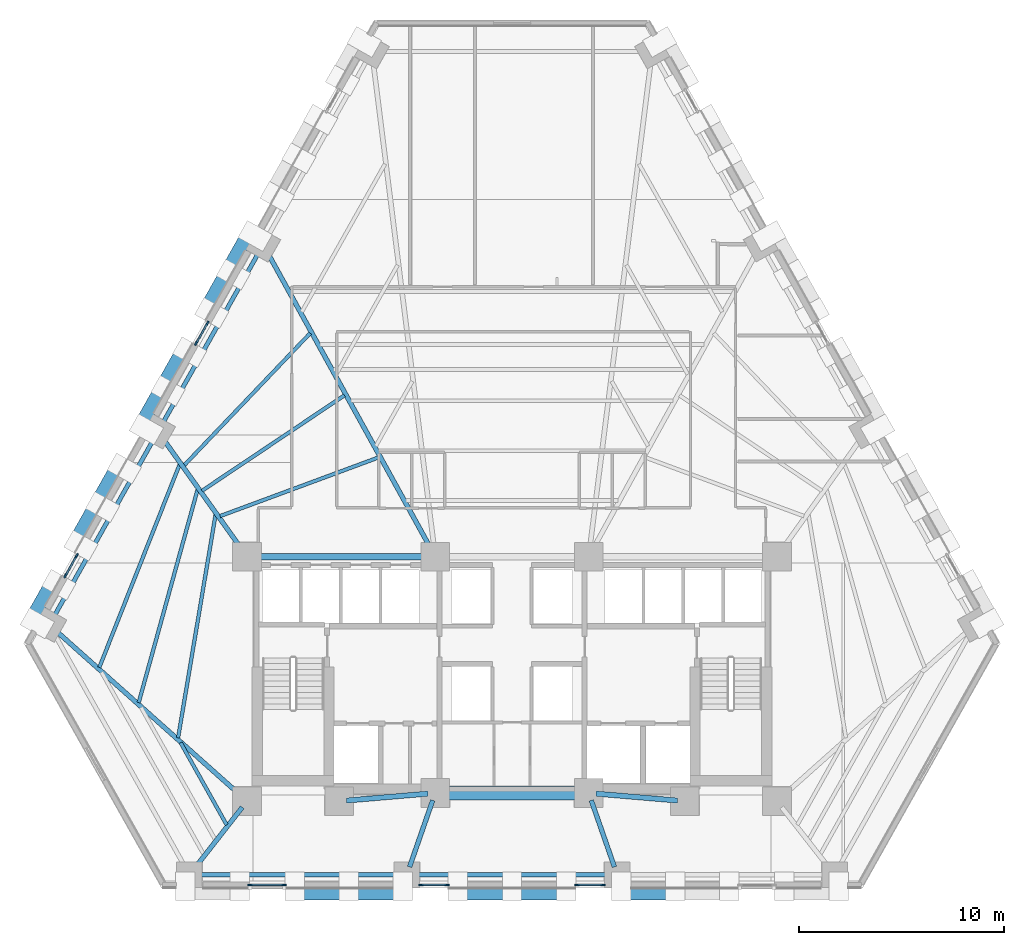
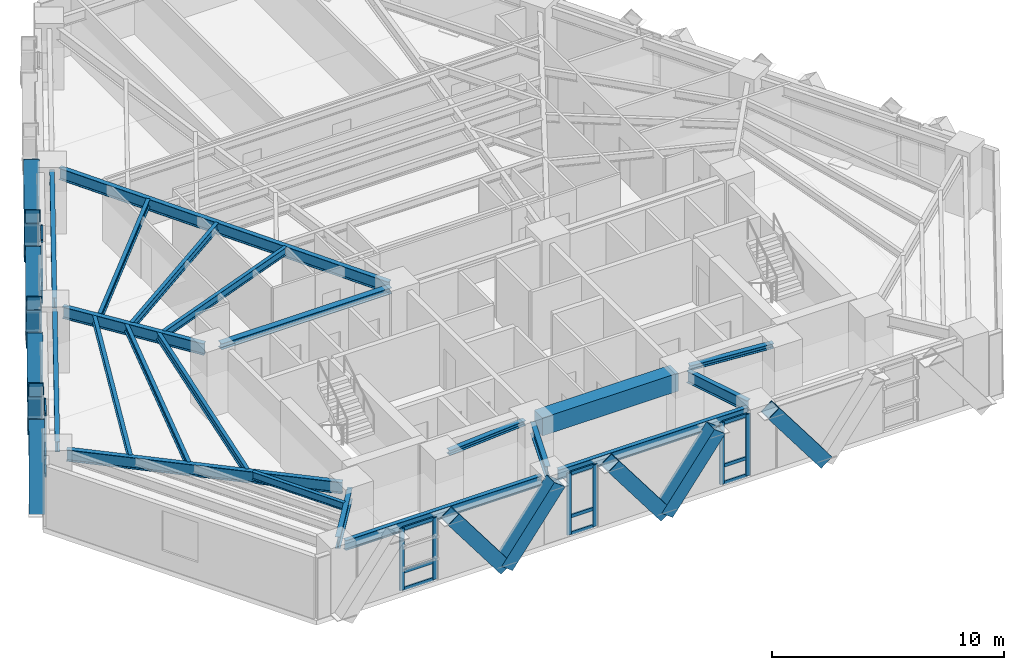
# One storey, part 2 of 13: 37 members, 21 beams, 5 elements without a shape of their own.
"""IFC4 building model written with IfcOpenShell, lengths in metres."""

from ifc_helpers import new_model, si_unit, direction, frame, origin, origin_2d, place, context, subcontext, project, spatial, rectangle, hollow_rectangle, i_section, extrude, material, material_profile, profile_set, type_object, element, aggregate, save


model = new_model("IFC4")

# Units and contexts
model_context = context("Model", 3, precision=1e-05, world=origin(), true_north=direction((0.0, 1.0)))
body_context = subcontext(model_context, "Body", "Model", "MODEL_VIEW")
ifc_project = project(units=[si_unit("LENGTHUNIT", "METRE"), si_unit("AREAUNIT", "SQUARE_METRE"), si_unit("VOLUMEUNIT", "CUBIC_METRE"), si_unit("PLANEANGLEUNIT", "RADIAN"), si_unit("MASSUNIT", "GRAM", prefix="KILO")], contexts=[model_context])

# Site, building, storey
site_placement = place(None, origin())
site = spatial("IfcSite", under=ifc_project, at=site_placement, CompositionType="ELEMENT")
building_placement = place(site_placement, origin())
building = spatial("IfcBuilding", under=site, at=building_placement, Name="Quenlor Broadcast Tower", CompositionType="ELEMENT")
storey_placement = place(building_placement, frame((0.0, 0.0, 38.10009765625)))
storey = spatial("IfcBuildingStorey", under=building, at=storey_placement, Name="L09", CompositionType="ELEMENT", Elevation=38.10009765625)

# Curtain wall, members
ifc_material_1 = material(Name="Architectural Terracotta and Low-E Glazing", Category="masonry")
curtain_wall_type = type_object("IfcCurtainWallType", Name="Unitised Terracotta Curtain Wall System Z1", PredefinedType="NOTDEFINED", material=ifc_material_1)
curtain_wall_1_placement = place(storey_placement, origin())
curtain_wall_1 = element("IfcCurtainWall", 1, at=curtain_wall_1_placement, inside=storey, type_object=curtain_wall_type, Name="L09 Curtain Wall CW1 (L09-SC-G1)", PredefinedType="NOTDEFINED")
ifc_material_2 = material(Name="Aluminium 6063-T6", Category="aluminium")
ifc_material_profile_1 = material_profile(ifc_material_2, rectangle(XDim=0.080078125, YDim=0.219970703125, at=origin_2d()))
ifc_profile_set_1 = profile_set([ifc_material_profile_1], Name="Aluminium 6063-T6 MULL80x220")
member_type_1 = type_object("IfcMemberType", Name="CW1 Aluminium Mullion MULL_CW1", PredefinedType="MULLION", material=ifc_profile_set_1)
member_1_placement = place(storey_placement, frame((-11.146484375, -20.840087890625, 0.0), z_axis=(0.0, 0.0, 1.0), x_axis=(0.0, -1.0, 0.0)))
member_1 = element("IfcMember", 2, at=member_1_placement, type_object=member_type_1, Name="CW1 mullion 1", PredefinedType="MULLION", context=body_context, shape_type="SweptSolid", body=[
    extrude(rectangle(XDim=0.080078125, YDim=0.219970703125, at=origin_2d()), origin(), (0.0, 0.0, 1.0), 3.25),
])
member_2_placement = place(storey_placement, frame((-12.794921875, -20.840087890625, 0.0), z_axis=(0.0, 0.0, 1.0), x_axis=(0.0, -1.0, 0.0)))
member_2 = element("IfcMember", 3, at=member_2_placement, type_object=member_type_1, Name="CW1 mullion 2", PredefinedType="MULLION", context=body_context, shape_type="SweptSolid", body=[
    extrude(rectangle(XDim=0.080078125, YDim=0.219970703125, at=origin_2d()), origin(), (0.0, 0.0, 1.0), 3.25),
])

curtain_wall_2_placement = place(storey_placement, origin())
curtain_wall_2 = element("IfcCurtainWall", 4, at=curtain_wall_2_placement, inside=storey, type_object=curtain_wall_type, Name="L09 Curtain Wall CW1 (L09-S-G1)", PredefinedType="NOTDEFINED")
member_3_placement = place(storey_placement, frame((4.455810546875, -20.840087890625, 0.0), z_axis=(0.0, 0.0, 1.0), x_axis=(0.0, -1.0, 0.0)))
member_3 = element("IfcMember", 5, at=member_3_placement, type_object=member_type_1, Name="CW1 mullion 1", PredefinedType="MULLION", context=body_context, shape_type="SweptSolid", body=[
    extrude(rectangle(XDim=0.080078125, YDim=0.219970703125, at=origin_2d()), origin(), (0.0, 0.0, 1.0), 3.25),
])
member_4_placement = place(storey_placement, frame((3.166015625, -20.840087890625, 0.0), z_axis=(0.0, 0.0, 1.0), x_axis=(0.0, -1.0, 0.0)))
member_4 = element("IfcMember", 6, at=member_4_placement, type_object=member_type_1, Name="CW1 mullion 2", PredefinedType="MULLION", context=body_context, shape_type="SweptSolid", body=[
    extrude(rectangle(XDim=0.080078125, YDim=0.219970703125, at=origin_2d()), origin(), (0.0, 0.0, 1.0), 3.25),
])

curtain_wall_3_placement = place(storey_placement, origin())
curtain_wall_3 = element("IfcCurtainWall", 7, at=curtain_wall_3_placement, inside=storey, type_object=curtain_wall_type, Name="L09 Curtain Wall CW1 (L09-S-G2)", PredefinedType="NOTDEFINED")
member_5_placement = place(storey_placement, frame((-3.166015625, -20.840087890625, 0.0), z_axis=(0.0, 0.0, 1.0), x_axis=(0.0, -1.0, 0.0)))
member_5 = element("IfcMember", 8, at=member_5_placement, type_object=member_type_1, Name="CW1 mullion 1", PredefinedType="MULLION", context=body_context, shape_type="SweptSolid", body=[
    extrude(rectangle(XDim=0.080078125, YDim=0.219970703125, at=origin_2d()), origin(), (0.0, 0.0, 1.0), 3.25),
])
member_6_placement = place(storey_placement, frame((-4.455810546875, -20.840087890625, 0.0), z_axis=(0.0, 0.0, 1.0), x_axis=(0.0, -1.0, 0.0)))
member_6 = element("IfcMember", 9, at=member_6_placement, type_object=member_type_1, Name="CW1 mullion 2", PredefinedType="MULLION", context=body_context, shape_type="SweptSolid", body=[
    extrude(rectangle(XDim=0.080078125, YDim=0.219970703125, at=origin_2d()), origin(), (0.0, 0.0, 1.0), 3.25),
])

curtain_wall_4_placement = place(storey_placement, origin())
curtain_wall_4 = element("IfcCurtainWall", 10, at=curtain_wall_4_placement, inside=storey, type_object=curtain_wall_type, Name="L09 Curtain Wall CW1 (L09-NWA-G1)", PredefinedType="NOTDEFINED")
member_7_placement = place(storey_placement, frame((-21.830810546875, -5.73681640625, 0.0), z_axis=(0.0, 0.0, 1.0), x_axis=(-0.871566703483, 0.490276943553, 0.0)))
member_7 = element("IfcMember", 11, at=member_7_placement, type_object=member_type_1, Name="CW1 mullion 1", PredefinedType="MULLION", context=body_context, shape_type="SweptSolid", body=[
    extrude(rectangle(XDim=0.080078125, YDim=0.219970703125, at=origin_2d()), origin(), (0.0, 0.0, 1.0), 3.25),
])
member_8_placement = place(storey_placement, frame((-21.277099609375, -4.75244140625, 0.0), z_axis=(0.0, 0.0, 1.0), x_axis=(-0.871566703483, 0.490276943553, 0.0)))
member_8 = element("IfcMember", 12, at=member_8_placement, type_object=member_type_1, Name="CW1 mullion 2", PredefinedType="MULLION", context=body_context, shape_type="SweptSolid", body=[
    extrude(rectangle(XDim=0.080078125, YDim=0.219970703125, at=origin_2d()), origin(), (0.0, 0.0, 1.0), 3.25),
])

curtain_wall_5_placement = place(storey_placement, origin())
curtain_wall_5 = element("IfcCurtainWall", 13, at=curtain_wall_5_placement, inside=storey, type_object=curtain_wall_type, Name="L09 Curtain Wall CW1 (L09-NW-G1)", PredefinedType="NOTDEFINED")
member_9_placement = place(storey_placement, frame((-15.4375, 5.62939453125, 0.0), z_axis=(0.0, 0.0, 1.0), x_axis=(-0.871566703483, 0.490276943553, 0.0)))
member_9 = element("IfcMember", 14, at=member_9_placement, type_object=member_type_1, Name="CW1 mullion 1", PredefinedType="MULLION", context=body_context, shape_type="SweptSolid", body=[
    extrude(rectangle(XDim=0.080078125, YDim=0.219970703125, at=origin_2d()), origin(), (0.0, 0.0, 1.0), 3.25),
])
member_10_placement = place(storey_placement, frame((-14.8837890625, 6.61376953125, 0.0), z_axis=(0.0, 0.0, 1.0), x_axis=(-0.871566703483, 0.490276943553, 0.0)))
member_10 = element("IfcMember", 15, at=member_10_placement, type_object=member_type_1, Name="CW1 mullion 2", PredefinedType="MULLION", context=body_context, shape_type="SweptSolid", body=[
    extrude(rectangle(XDim=0.080078125, YDim=0.219970703125, at=origin_2d()), origin(), (0.0, 0.0, 1.0), 3.25),
])

# Member
ifc_material_3 = material(Name="Aluminium 6063-T6", Category="aluminium")
ifc_material_profile_2 = material_profile(ifc_material_3, rectangle(XDim=0.080078125, YDim=0.179931640625, at=origin_2d()))
ifc_profile_set_2 = profile_set([ifc_material_profile_2], Name="Aluminium 6063-T6 TRAN80x180")
member_type_2 = type_object("IfcMemberType", Name="CW1 Aluminium Transom TRAN_CW1", PredefinedType="USERDEFINED", material=ifc_profile_set_2)
member_11_placement = place(storey_placement, frame((-11.1865234375, -20.840087890625, 0.039794921875), z_axis=(-1.0, 0.0, 0.0), x_axis=(0.0, -1.0, 0.0)))
member_11 = element("IfcMember", 16, at=member_11_placement, type_object=member_type_2, Name="CW1 transom 1.1", ObjectType="TRANSOM", PredefinedType="USERDEFINED", context=body_context, shape_type="SweptSolid", body=[
    extrude(rectangle(XDim=0.080078125, YDim=0.179931640625, at=origin_2d()), origin(), (0.0, 0.0, 1.0), 1.568359375),
])

member_12_placement = place(storey_placement, frame((-11.1865234375, -20.840087890625, 0.949951171875), z_axis=(-1.0, 0.0, 0.0), x_axis=(0.0, -1.0, 0.0)))
member_12 = element("IfcMember", 17, at=member_12_placement, type_object=member_type_2, Name="CW1 transom 1.2", ObjectType="TRANSOM", PredefinedType="USERDEFINED", context=body_context, shape_type="SweptSolid", body=[
    extrude(rectangle(XDim=0.080078125, YDim=0.179931640625, at=origin_2d()), origin(), (0.0, 0.0, 1.0), 1.568359375),
])

member_13_placement = place(storey_placement, frame((-11.1865234375, -20.840087890625, 3.2099609375), z_axis=(-1.0, 0.0, 0.0), x_axis=(0.0, -1.0, 0.0)))
member_13 = element("IfcMember", 18, at=member_13_placement, type_object=member_type_2, Name="CW1 transom 1.3", ObjectType="TRANSOM", PredefinedType="USERDEFINED", context=body_context, shape_type="SweptSolid", body=[
    extrude(rectangle(XDim=0.080078125, YDim=0.179931640625, at=origin_2d()), origin(), (0.0, 0.0, 1.0), 1.568359375),
])

aggregate(curtain_wall_1, [member_1, member_2, member_11, member_12, member_13])

member_14_placement = place(storey_placement, frame((4.415771484375, -20.840087890625, 0.039794921875), z_axis=(-1.0, 0.0, 0.0), x_axis=(0.0, -1.0, 0.0)))
member_14 = element("IfcMember", 19, at=member_14_placement, type_object=member_type_2, Name="CW1 transom 1.1", ObjectType="TRANSOM", PredefinedType="USERDEFINED", context=body_context, shape_type="SweptSolid", body=[
    extrude(rectangle(XDim=0.080078125, YDim=0.179931640625, at=origin_2d()), origin(), (0.0, 0.0, 1.0), 1.209716796875),
])

member_15_placement = place(storey_placement, frame((4.415771484375, -20.840087890625, 0.949951171875), z_axis=(-1.0, 0.0, 0.0), x_axis=(0.0, -1.0, 0.0)))
member_15 = element("IfcMember", 20, at=member_15_placement, type_object=member_type_2, Name="CW1 transom 1.2", ObjectType="TRANSOM", PredefinedType="USERDEFINED", context=body_context, shape_type="SweptSolid", body=[
    extrude(rectangle(XDim=0.080078125, YDim=0.179931640625, at=origin_2d()), origin(), (0.0, 0.0, 1.0), 1.209716796875),
])

member_16_placement = place(storey_placement, frame((4.415771484375, -20.840087890625, 3.2099609375), z_axis=(-1.0, 0.0, 0.0), x_axis=(0.0, -1.0, 0.0)))
member_16 = element("IfcMember", 21, at=member_16_placement, type_object=member_type_2, Name="CW1 transom 1.3", ObjectType="TRANSOM", PredefinedType="USERDEFINED", context=body_context, shape_type="SweptSolid", body=[
    extrude(rectangle(XDim=0.080078125, YDim=0.179931640625, at=origin_2d()), origin(), (0.0, 0.0, 1.0), 1.209716796875),
])

aggregate(curtain_wall_2, [member_3, member_4, member_14, member_15, member_16])

member_17_placement = place(storey_placement, frame((-3.2060546875, -20.840087890625, 0.039794921875), z_axis=(-1.0, 0.0, 0.0), x_axis=(0.0, -1.0, 0.0)))
member_17 = element("IfcMember", 22, at=member_17_placement, type_object=member_type_2, Name="CW1 transom 1.1", ObjectType="TRANSOM", PredefinedType="USERDEFINED", context=body_context, shape_type="SweptSolid", body=[
    extrude(rectangle(XDim=0.080078125, YDim=0.179931640625, at=origin_2d()), origin(), (0.0, 0.0, 1.0), 1.209716796875),
])

member_18_placement = place(storey_placement, frame((-3.2060546875, -20.840087890625, 0.949951171875), z_axis=(-1.0, 0.0, 0.0), x_axis=(0.0, -1.0, 0.0)))
member_18 = element("IfcMember", 23, at=member_18_placement, type_object=member_type_2, Name="CW1 transom 1.2", ObjectType="TRANSOM", PredefinedType="USERDEFINED", context=body_context, shape_type="SweptSolid", body=[
    extrude(rectangle(XDim=0.080078125, YDim=0.179931640625, at=origin_2d()), origin(), (0.0, 0.0, 1.0), 1.209716796875),
])

member_19_placement = place(storey_placement, frame((-3.2060546875, -20.840087890625, 3.2099609375), z_axis=(-1.0, 0.0, 0.0), x_axis=(0.0, -1.0, 0.0)))
member_19 = element("IfcMember", 24, at=member_19_placement, type_object=member_type_2, Name="CW1 transom 1.3", ObjectType="TRANSOM", PredefinedType="USERDEFINED", context=body_context, shape_type="SweptSolid", body=[
    extrude(rectangle(XDim=0.080078125, YDim=0.179931640625, at=origin_2d()), origin(), (0.0, 0.0, 1.0), 1.209716796875),
])

aggregate(curtain_wall_3, [member_5, member_6, member_17, member_18, member_19])

member_20_placement = place(storey_placement, frame((-21.811279296875, -5.701904296875, 0.039794921875), z_axis=(0.490239146026, 0.87158796441, 0.0), x_axis=(-0.87158796441, 0.490239146026, 0.0)))
member_20 = element("IfcMember", 25, at=member_20_placement, type_object=member_type_2, Name="CW1 transom 1.1", ObjectType="TRANSOM", PredefinedType="USERDEFINED", context=body_context, shape_type="SweptSolid", body=[
    extrude(rectangle(XDim=0.080078125, YDim=0.179931640625, at=origin_2d()), origin(), (0.0, 0.0, 1.0), 1.04931640625),
])

member_21_placement = place(storey_placement, frame((-21.811279296875, -5.701904296875, 0.949951171875), z_axis=(0.490239146026, 0.87158796441, 0.0), x_axis=(-0.87158796441, 0.490239146026, 0.0)))
member_21 = element("IfcMember", 26, at=member_21_placement, type_object=member_type_2, Name="CW1 transom 1.2", ObjectType="TRANSOM", PredefinedType="USERDEFINED", context=body_context, shape_type="SweptSolid", body=[
    extrude(rectangle(XDim=0.080078125, YDim=0.179931640625, at=origin_2d()), origin(), (0.0, 0.0, 1.0), 1.04931640625),
])

member_22_placement = place(storey_placement, frame((-21.811279296875, -5.701904296875, 3.2099609375), z_axis=(0.490239146026, 0.87158796441, 0.0), x_axis=(-0.87158796441, 0.490239146026, 0.0)))
member_22 = element("IfcMember", 27, at=member_22_placement, type_object=member_type_2, Name="CW1 transom 1.3", ObjectType="TRANSOM", PredefinedType="USERDEFINED", context=body_context, shape_type="SweptSolid", body=[
    extrude(rectangle(XDim=0.080078125, YDim=0.179931640625, at=origin_2d()), origin(), (0.0, 0.0, 1.0), 1.04931640625),
])

aggregate(curtain_wall_4, [member_7, member_8, member_20, member_21, member_22])

member_23_placement = place(storey_placement, frame((-15.417724609375, 5.664306640625, 0.039794921875), z_axis=(0.490239146026, 0.87158796441, 0.0), x_axis=(-0.87158796441, 0.490239146026, 0.0)))
member_23 = element("IfcMember", 28, at=member_23_placement, type_object=member_type_2, Name="CW1 transom 1.1", ObjectType="TRANSOM", PredefinedType="USERDEFINED", context=body_context, shape_type="SweptSolid", body=[
    extrude(rectangle(XDim=0.080078125, YDim=0.179931640625, at=origin_2d()), origin(), (0.0, 0.0, 1.0), 1.04931640625),
])

member_24_placement = place(storey_placement, frame((-15.417724609375, 5.664306640625, 0.949951171875), z_axis=(0.490239146026, 0.87158796441, 0.0), x_axis=(-0.87158796441, 0.490239146026, 0.0)))
member_24 = element("IfcMember", 29, at=member_24_placement, type_object=member_type_2, Name="CW1 transom 1.2", ObjectType="TRANSOM", PredefinedType="USERDEFINED", context=body_context, shape_type="SweptSolid", body=[
    extrude(rectangle(XDim=0.080078125, YDim=0.179931640625, at=origin_2d()), origin(), (0.0, 0.0, 1.0), 1.04931640625),
])

member_25_placement = place(storey_placement, frame((-15.417724609375, 5.664306640625, 3.2099609375), z_axis=(0.490239146026, 0.87158796441, 0.0), x_axis=(-0.87158796441, 0.490239146026, 0.0)))
member_25 = element("IfcMember", 30, at=member_25_placement, type_object=member_type_2, Name="CW1 transom 1.3", ObjectType="TRANSOM", PredefinedType="USERDEFINED", context=body_context, shape_type="SweptSolid", body=[
    extrude(rectangle(XDim=0.080078125, YDim=0.179931640625, at=origin_2d()), origin(), (0.0, 0.0, 1.0), 1.04931640625),
])

aggregate(curtain_wall_5, [member_9, member_10, member_23, member_24, member_25])

# Beams
ifc_material_4 = material(Name="Concrete C50/60", Category="concrete")
ifc_material_profile_3 = material_profile(ifc_material_4, rectangle(XDim=0.699951171875, YDim=0.949951171875, at=origin_2d()))
ifc_profile_set_3 = profile_set([ifc_material_profile_3], Name="Concrete C50/60 RCB700x950")
beam_type_1 = type_object("IfcBeamType", Name="Core Coupling Beam Concrete C50/60 700x950", PredefinedType="BEAM", material=ifc_profile_set_3)
beam_1_placement = place(storey_placement, frame((-3.389892578125, -16.35009765625, 2.77490234375), z_axis=(1.0, 0.0, 0.0), x_axis=(0.0, 1.0, 0.0)))
element("IfcBeam", 31, at=beam_1_placement, inside=storey, type_object=beam_type_1, Name="L09 Core Coupling Beam 6", PredefinedType="BEAM", context=body_context, shape_type="SweptSolid", body=[
    extrude(rectangle(XDim=0.699951171875, YDim=0.949951171875, at=origin_2d()), origin(), (0.0, 0.0, 1.0), 6.77978515625),
])
ifc_material_5 = material(Name="Steel S355", Category="steel")
ifc_material_profile_4 = material_profile(ifc_material_5, i_section(OverallWidth=0.25390625, OverallDepth=0.25390625, WebThickness=0.008544921875, FlangeThickness=0.01416015625, FilletRadius=0.013916015625, at=origin_2d()))
ifc_profile_set_4 = profile_set([ifc_material_profile_4], Name="Steel S355 250UC72.9")
beam_type_2 = type_object("IfcBeamType", Name="Core Opening Lintel Beam Steel S355 250UC72.9", PredefinedType="LINTEL", material=ifc_profile_set_4)
for number, where, z_axis, x_axis, name in (
    (32, (-8.09130859375, -16.719482421875, 3.123046875), (0.996399763903, 0.084779186679, 0.0), (-0.084779186679, 0.996399763903, 0.0), "L09 Core Opening Lintel Beam 4"),
    (33, (4.108642578125, -16.380615234375, 3.123046875), (0.996399763903, -0.084779186679, 0.0), (0.084779186679, 0.996399763903, 0.0), "L09 Core Opening Lintel Beam 5"),
):
    element("IfcBeam", number, at=place(storey_placement, frame(where, z_axis=z_axis, x_axis=x_axis)), inside=storey, type_object=beam_type_2, Name=name, PredefinedType="LINTEL", context=body_context, shape_type="SweptSolid", body=[
        extrude(i_section(OverallWidth=0.25390625, OverallDepth=0.25390625, WebThickness=0.008544921875, FlangeThickness=0.01416015625, FilletRadius=0.013916015625, at=origin_2d()), origin(), (0.0, 0.0, 1.0), 3.9970703125),
    ])
ifc_material_6 = material(Name="Steel S355", Category="steel")
ifc_material_profile_5 = material_profile(ifc_material_6, i_section(OverallWidth=0.306884765625, OverallDepth=0.314697265625, WebThickness=0.011962890625, FlangeThickness=0.018798828125, FilletRadius=0.0166015625, at=origin_2d()))
ifc_profile_set_5 = profile_set([ifc_material_profile_5], Name="Steel S355 310UC118")
beam_type_3 = type_object("IfcBeamType", Name="Core Tie Beam Steel S355 310UC118", PredefinedType="BEAM", material=ifc_profile_set_5)
beam_2_placement = place(storey_placement, frame((-12.590087890625, -4.800048828125, 3.092529296875), z_axis=(1.0, 0.0, 0.0), x_axis=(0.0, 1.0, 0.0)))
element("IfcBeam", 34, at=beam_2_placement, inside=storey, type_object=beam_type_3, Name="L09 Core Tie Beam 1", PredefinedType="BEAM", context=body_context, shape_type="SweptSolid", body=[
    extrude(i_section(OverallWidth=0.306884765625, OverallDepth=0.314697265625, WebThickness=0.011962890625, FlangeThickness=0.018798828125, FilletRadius=0.0166015625, at=origin_2d()), origin(), (0.0, 0.0, 1.0), 8.47998046875),
])

# Members
ifc_material_7 = material(Name="Steel S355", Category="steel")
ifc_material_profile_6 = material_profile(ifc_material_7, hollow_rectangle(XDim=0.679931640625, YDim=0.679931640625, WallThickness=0.034912109375, at=origin_2d()))
ifc_profile_set_6 = profile_set([ifc_material_profile_6], Name="Steel S355 RHS680x680x35")
member_type_3 = type_object("IfcMemberType", Name="Perimeter Diagonal Lattice Brace Z1 Steel S355 RHS680x35", PredefinedType="BRACE", material=ifc_profile_set_6)
for number, where, z_axis, x_axis, name in (
    (35, (7.964599609375, -21.235107421875, -0.1201171875), (-0.60049964856, 0.0, 0.799625019668), (0.0, -1.0, 0.0), "L09 Perimeter Diamond Lattice S-C2S"),
    (36, (0.01611328125, -21.235107421875, -0.1201171875), (0.600463982679, 0.0, 0.799651802665), (0.0, 1.0, 0.0), "L09 Perimeter Diamond Lattice S-C2B"),
    (37, (-0.01611328125, -21.235107421875, -0.1201171875), (-0.600463982679, 0.0, 0.799651802665), (0.0, -1.0, 0.0), "L09 Perimeter Diamond Lattice S-C3S"),
    (38, (-7.964599609375, -21.235107421875, -0.1201171875), (0.60049964856, 0.0, 0.799625019668), (0.0, 1.0, 0.0), "L09 Perimeter Diamond Lattice S-C3B"),
    (39, (-7.99658203125, -21.235107421875, -0.1201171875), (-0.600463982679, 0.0, 0.799651802665), (0.0, -1.0, 0.0), "L09 Perimeter Diamond Lattice S-C4S"),
):
    element("IfcMember", number, at=place(storey_placement, frame(where, z_axis=z_axis, x_axis=x_axis)), inside=storey, type_object=member_type_3, Name=name, PredefinedType="BRACE", context=body_context, shape_type="SweptSolid", body=[
        extrude(hollow_rectangle(XDim=0.679931640625, YDim=0.679931640625, WallThickness=0.034912109375, at=origin_2d()), origin(), (0.0, 0.0, 1.0), 4.376953125),
    ])
member_26_placement = place(storey_placement, frame((-23.490234375, -7.88134765625, -0.1201171875), z_axis=(0.256368393635, 0.455838699906, 0.852341672343), x_axis=(-0.871608931644, 0.490201866865, 0.0)))
element("IfcMember", 40, at=member_26_placement, inside=storey, type_object=member_type_3, Name="L09 Perimeter Diamond Lattice NW-C1S", PredefinedType="BRACE", context=body_context, shape_type="SweptSolid", body=[
    extrude(hollow_rectangle(XDim=0.679931640625, YDim=0.679931640625, WallThickness=0.034912109375, at=origin_2d()), origin(), (0.0, 0.0, 1.0), 4.1064453125),
])
for number, where, z_axis, x_axis, name in (
    (41, (-20.306396484375, -2.220947265625, -0.1201171875), (-0.256375341489, -0.45579159737, 0.852364771705), (0.871581609758, -0.490250443683, 0.0), "L09 Perimeter Diamond Lattice NW-C1B"),
    (42, (-20.29345703125, -2.197998046875, -0.1201171875), (0.256375341489, 0.45579159737, 0.852364771705), (-0.871581609758, 0.490250443683, 0.0), "L09 Perimeter Diamond Lattice NW-C2S"),
    (43, (-17.109619140625, 3.46240234375, -0.1201171875), (-0.256375341489, -0.45579159737, 0.852364771705), (0.871581609758, -0.490250443683, 0.0), "L09 Perimeter Diamond Lattice NW-C2B"),
    (44, (-17.0966796875, 3.485107421875, -0.1201171875), (0.256375341489, 0.45579159737, 0.852364771705), (-0.871581609758, 0.490250443683, 0.0), "L09 Perimeter Diamond Lattice NW-C3S"),
):
    element("IfcMember", number, at=place(storey_placement, frame(where, z_axis=z_axis, x_axis=x_axis)), inside=storey, type_object=member_type_3, Name=name, PredefinedType="BRACE", context=body_context, shape_type="SweptSolid", body=[
        extrude(hollow_rectangle(XDim=0.679931640625, YDim=0.679931640625, WallThickness=0.034912109375, at=origin_2d()), origin(), (0.0, 0.0, 1.0), 4.106201171875),
    ])
member_27_placement = place(storey_placement, frame((-13.912841796875, 9.1455078125, -0.1201171875), z_axis=(-0.256368393635, -0.455838699906, 0.852341672343), x_axis=(0.871608931644, -0.490201866865, 0.0)))
element("IfcMember", 45, at=member_27_placement, inside=storey, type_object=member_type_3, Name="L09 Perimeter Diamond Lattice NW-C3B", PredefinedType="BRACE", context=body_context, shape_type="SweptSolid", body=[
    extrude(hollow_rectangle(XDim=0.679931640625, YDim=0.679931640625, WallThickness=0.034912109375, at=origin_2d()), origin(), (0.0, 0.0, 1.0), 4.1064453125),
])
member_28_placement = place(storey_placement, frame((-13.89990234375, 9.168212890625, -0.1201171875), z_axis=(0.256375341489, 0.45579159737, 0.852364771705), x_axis=(-0.871581609758, 0.490250443683, 0.0)))
element("IfcMember", 46, at=member_28_placement, inside=storey, type_object=member_type_3, Name="L09 Perimeter Diamond Lattice NW-C4S", PredefinedType="BRACE", context=body_context, shape_type="SweptSolid", body=[
    extrude(hollow_rectangle(XDim=0.679931640625, YDim=0.679931640625, WallThickness=0.034912109375, at=origin_2d()), origin(), (0.0, 0.0, 1.0), 4.106201171875),
])

# Beams
ifc_material_8 = material(Name="Steel S355", Category="steel")
ifc_material_profile_7 = material_profile(ifc_material_8, i_section(OverallWidth=0.208984375, OverallDepth=0.532958984375, WebThickness=0.01025390625, FlangeThickness=0.015625, FilletRadius=0.013916015625, at=origin_2d()))
ifc_profile_set_7 = profile_set([ifc_material_profile_7], Name="Steel S355 530UB92.4")
beam_type_4 = type_object("IfcBeamType", Name="Perimeter Spandrel Beam Z1 Steel S355 530UB92.4", PredefinedType="SPANDREL", material=ifc_profile_set_7)
beam_3_placement = place(storey_placement, frame((-15.35498046875, -20.35009765625, 2.9833984375), z_axis=(1.0, 0.0, 0.0), x_axis=(0.0, 1.0, 0.0)))
element("IfcBeam", 47, at=beam_3_placement, inside=storey, type_object=beam_type_4, Name="L09 Spandrel Beam S1-S2", PredefinedType="SPANDREL", context=body_context, shape_type="SweptSolid", body=[
    extrude(i_section(OverallWidth=0.208984375, OverallDepth=0.532958984375, WebThickness=0.01025390625, FlangeThickness=0.015625, FilletRadius=0.013916015625, at=origin_2d()), origin(), (0.0, 0.0, 1.0), 9.80419921875),
])
beam_4_placement = place(storey_placement, frame((-4.730712890625, -20.35009765625, 2.9833984375), z_axis=(1.0, 0.0, 0.0), x_axis=(0.0, 1.0, 0.0)))
element("IfcBeam", 48, at=beam_4_placement, inside=storey, type_object=beam_type_4, Name="L09 Spandrel Beam S2-S3", PredefinedType="SPANDREL", context=body_context, shape_type="SweptSolid", body=[
    extrude(i_section(OverallWidth=0.208984375, OverallDepth=0.532958984375, WebThickness=0.01025390625, FlangeThickness=0.015625, FilletRadius=0.013916015625, at=origin_2d()), origin(), (0.0, 0.0, 1.0), 9.46142578125),
])
beam_5_placement = place(storey_placement, frame((-12.364013671875, 10.093505859375, 2.9833984375), z_axis=(-0.490257642051, -0.871577560755, 0.0), x_axis=(0.871577560755, -0.490257642051, 0.0)))
element("IfcBeam", 49, at=beam_5_placement, inside=storey, type_object=beam_type_4, Name="L09 Spandrel Beam NW2-NW3", PredefinedType="SPANDREL", context=body_context, shape_type="SweptSolid", body=[
    extrude(i_section(OverallWidth=0.208984375, OverallDepth=0.532958984375, WebThickness=0.01025390625, FlangeThickness=0.015625, FilletRadius=0.013916015625, at=origin_2d()), origin(), (0.0, 0.0, 1.0), 9.665771484375),
])
beam_6_placement = place(storey_placement, frame((-17.5048828125, 0.954345703125, 2.9833984375), z_axis=(-0.490257767622, -0.871577490121, 0.0), x_axis=(0.871577490121, -0.490257767622, 0.0)))
element("IfcBeam", 50, at=beam_6_placement, inside=storey, type_object=beam_type_4, Name="L09 Spandrel Beam NW3-NW4", PredefinedType="SPANDREL", context=body_context, shape_type="SweptSolid", body=[
    extrude(i_section(OverallWidth=0.208984375, OverallDepth=0.532958984375, WebThickness=0.01025390625, FlangeThickness=0.015625, FilletRadius=0.013916015625, at=origin_2d()), origin(), (0.0, 0.0, 1.0), 10.015380859375),
])
ifc_material_9 = material(Name="Steel S355", Category="steel")
ifc_material_profile_8 = material_profile(ifc_material_9, i_section(OverallWidth=0.177978515625, OverallDepth=0.406494140625, WebThickness=0.0078125, FlangeThickness=0.0126953125, FilletRadius=0.011474609375, at=origin_2d()))
ifc_profile_set_8 = profile_set([ifc_material_profile_8], Name="Steel S355 410UB59.7")
beam_type_5 = type_object("IfcBeamType", Name="Tower Composite Joist Z1 Steel S355 410UB59.7", PredefinedType="JOIST", material=ifc_profile_set_8)
beam_7_placement = place(storey_placement, frame((-14.268310546875, -2.81640625, 3.046630859375), z_axis=(0.937824633945, 0.347109429383, 0.0), x_axis=(-0.347109429383, 0.937824633945, 0.0)))
element("IfcBeam", 51, at=beam_7_placement, inside=storey, type_object=beam_type_5, Name="L09 Secondary Composite Joist 7", PredefinedType="JOIST", context=body_context, shape_type="SweptSolid", body=[
    extrude(i_section(OverallWidth=0.177978515625, OverallDepth=0.406494140625, WebThickness=0.0078125, FlangeThickness=0.0126953125, FilletRadius=0.011474609375, at=origin_2d()), origin(), (0.0, 0.0, 1.0), 8.26513671875),
])
beam_8_placement = place(storey_placement, frame((-15.147705078125, -1.577392578125, 3.046630859375), z_axis=(0.830625844363, 0.556830949819, 0.0), x_axis=(-0.556830949819, 0.830625844363, 0.0)))
element("IfcBeam", 52, at=beam_8_placement, inside=storey, type_object=beam_type_5, Name="L09 Secondary Composite Joist 8", PredefinedType="JOIST", context=body_context, shape_type="SweptSolid", body=[
    extrude(i_section(OverallWidth=0.177978515625, OverallDepth=0.406494140625, WebThickness=0.0078125, FlangeThickness=0.0126953125, FilletRadius=0.011474609375, at=origin_2d()), origin(), (0.0, 0.0, 1.0), 8.374755859375),
])
beam_9_placement = place(storey_placement, frame((-16.029541015625, -0.341796875, 3.046630859375), z_axis=(0.690241086162, 0.723579465556, 0.0), x_axis=(-0.723579465556, 0.690241086162, 0.0)))
element("IfcBeam", 53, at=beam_9_placement, inside=storey, type_object=beam_type_5, Name="L09 Secondary Composite Joist 9", PredefinedType="JOIST", context=body_context, shape_type="SweptSolid", body=[
    extrude(i_section(OverallWidth=0.177978515625, OverallDepth=0.406494140625, WebThickness=0.0078125, FlangeThickness=0.0126953125, FilletRadius=0.011474609375, at=origin_2d()), origin(), (0.0, 0.0, 1.0), 8.93408203125),
])
beam_10_placement = place(storey_placement, frame((-16.31982421875, -13.65478515625, 3.046630859375), z_axis=(0.16559360599, 0.986194077074, 0.0), x_axis=(-0.986194077074, 0.16559360599, 0.0)))
element("IfcBeam", 54, at=beam_10_placement, inside=storey, type_object=beam_type_5, Name="L09 Secondary Composite Joist 13", PredefinedType="JOIST", context=body_context, shape_type="SweptSolid", body=[
    extrude(i_section(OverallWidth=0.177978515625, OverallDepth=0.406494140625, WebThickness=0.0078125, FlangeThickness=0.0126953125, FilletRadius=0.011474609375, at=origin_2d()), origin(), (0.0, 0.0, 1.0), 11.06787109375),
])
beam_11_placement = place(storey_placement, frame((-18.2451171875, -11.93310546875, 3.046630859375), z_axis=(0.266390054368, 0.963865311615, 0.0), x_axis=(-0.963865311615, 0.266390054368, 0.0)))
element("IfcBeam", 55, at=beam_11_placement, inside=storey, type_object=beam_type_5, Name="L09 Secondary Composite Joist 14", PredefinedType="JOIST", context=body_context, shape_type="SweptSolid", body=[
    extrude(i_section(OverallWidth=0.177978515625, OverallDepth=0.406494140625, WebThickness=0.0078125, FlangeThickness=0.0126953125, FilletRadius=0.011474609375, at=origin_2d()), origin(), (0.0, 0.0, 1.0), 10.80810546875),
])
beam_12_placement = place(storey_placement, frame((-20.170166015625, -10.212158203125, 3.046630859375), z_axis=(0.367884833597, 0.929871361646, 0.0), x_axis=(-0.929871361646, 0.367884833597, 0.0)))
element("IfcBeam", 56, at=beam_12_placement, inside=storey, type_object=beam_type_5, Name="L09 Secondary Composite Joist 15", PredefinedType="JOIST", context=body_context, shape_type="SweptSolid", body=[
    extrude(i_section(OverallWidth=0.177978515625, OverallDepth=0.406494140625, WebThickness=0.0078125, FlangeThickness=0.0126953125, FilletRadius=0.011474609375, at=origin_2d()), origin(), (0.0, 0.0, 1.0), 10.669921875),
])
beam_13_placement = place(storey_placement, frame((-13.9462890625, -17.904296875, 3.046630859375), z_axis=(-0.489062021968, 0.872249011848, 0.0), x_axis=(-0.872249011848, -0.489062021968, 0.0)))
element("IfcBeam", 57, at=beam_13_placement, inside=storey, type_object=beam_type_5, Name="L09 Secondary Composite Joist 19", PredefinedType="JOIST", context=body_context, shape_type="SweptSolid", body=[
    extrude(i_section(OverallWidth=0.177978515625, OverallDepth=0.406494140625, WebThickness=0.0078125, FlangeThickness=0.0126953125, FilletRadius=0.011474609375, at=origin_2d()), origin(), (0.0, 0.0, 1.0), 4.6025390625),
])
ifc_material_10 = material(Name="Steel S355", Category="steel")
ifc_material_profile_9 = material_profile(ifc_material_10, i_section(OverallWidth=0.22900390625, OverallDepth=0.611572265625, WebThickness=0.011962890625, FlangeThickness=0.01953125, FilletRadius=0.013916015625, at=origin_2d()))
ifc_profile_set_9 = profile_set([ifc_material_profile_9], Name="Steel S355 610UB125")
beam_type_6 = type_object("IfcBeamType", Name="Tower Primary Floor Beam Z1 Steel S355 610UB125", PredefinedType="BEAM", material=ifc_profile_set_9)
beam_14_placement = place(storey_placement, frame((-15.512451171875, -20.027099609375, 2.944091796875), z_axis=(0.615968610193, 0.78777069713, 0.0), x_axis=(-0.78777069713, 0.615968610193, 0.0)))
element("IfcBeam", 58, at=beam_14_placement, inside=storey, type_object=beam_type_6, Name="L09 Primary Radial Beam S1", PredefinedType="BEAM", context=body_context, shape_type="SweptSolid", body=[
    extrude(i_section(OverallWidth=0.22900390625, OverallDepth=0.611572265625, WebThickness=0.011962890625, FlangeThickness=0.01953125, FilletRadius=0.013916015625, at=origin_2d()), origin(), (0.0, 0.0, 1.0), 3.780029296875),
])
for number, where, z_axis, x_axis, name in (
    (59, (-5.006103515625, -19.962646484375, 2.944091796875), (0.328427161327, 0.944529300606, 0.0), (-0.944529300606, 0.328427161327, 0.0), "L09 Primary Radial Beam S2"),
    (60, (5.006103515625, -19.962646484375, 2.944091796875), (-0.328427161327, 0.944529300606, 0.0), (-0.944529300606, -0.328427161327, 0.0), "L09 Primary Radial Beam S3"),
):
    element("IfcBeam", number, at=place(storey_placement, frame(where, z_axis=z_axis, x_axis=x_axis)), inside=storey, type_object=beam_type_6, Name=name, PredefinedType="BEAM", context=body_context, shape_type="SweptSolid", body=[
        extrude(i_section(OverallWidth=0.22900390625, OverallDepth=0.611572265625, WebThickness=0.011962890625, FlangeThickness=0.01953125, FilletRadius=0.013916015625, at=origin_2d()), origin(), (0.0, 0.0, 1.0), 3.44482421875),
    ])
beam_15_placement = place(storey_placement, frame((-11.965087890625, 10.091796875, 2.944091796875), z_axis=(0.483026493693, -0.875605736842, 0.0), x_axis=(0.875605736842, 0.483026493693, 0.0)))
element("IfcBeam", 61, at=beam_15_placement, inside=storey, type_object=beam_type_6, Name="L09 Primary Radial Beam NW2", PredefinedType="BEAM", context=body_context, shape_type="SweptSolid", body=[
    extrude(i_section(OverallWidth=0.22900390625, OverallDepth=0.611572265625, WebThickness=0.011962890625, FlangeThickness=0.01953125, FilletRadius=0.013916015625, at=origin_2d()), origin(), (0.0, 0.0, 1.0), 16.62744140625),
])
beam_16_placement = place(storey_placement, frame((-17.06591796875, 0.977783203125, 2.944091796875), z_axis=(0.580212680853, -0.814465005373, 0.0), x_axis=(0.814465005373, 0.580212680853, 0.0)))
element("IfcBeam", 62, at=beam_16_placement, inside=storey, type_object=beam_type_6, Name="L09 Primary Radial Beam NW3", PredefinedType="BEAM", context=body_context, shape_type="SweptSolid", body=[
    extrude(i_section(OverallWidth=0.22900390625, OverallDepth=0.611572265625, WebThickness=0.011962890625, FlangeThickness=0.01953125, FilletRadius=0.013916015625, at=origin_2d()), origin(), (0.0, 0.0, 1.0), 6.7138671875),
])
beam_17_placement = place(storey_placement, frame((-22.31005859375, -8.40478515625, 2.944091796875), z_axis=(0.746413754585, -0.665482161268, 0.0), x_axis=(0.665482161268, 0.746413754585, 0.0)))
element("IfcBeam", 63, at=beam_17_placement, inside=storey, type_object=beam_type_6, Name="L09 Primary Radial Beam NW4", PredefinedType="BEAM", context=body_context, shape_type="SweptSolid", body=[
    extrude(i_section(OverallWidth=0.22900390625, OverallDepth=0.611572265625, WebThickness=0.011962890625, FlangeThickness=0.01953125, FilletRadius=0.013916015625, at=origin_2d()), origin(), (0.0, 0.0, 1.0), 12.159912109375),
])

save(model, "model.ifc")
